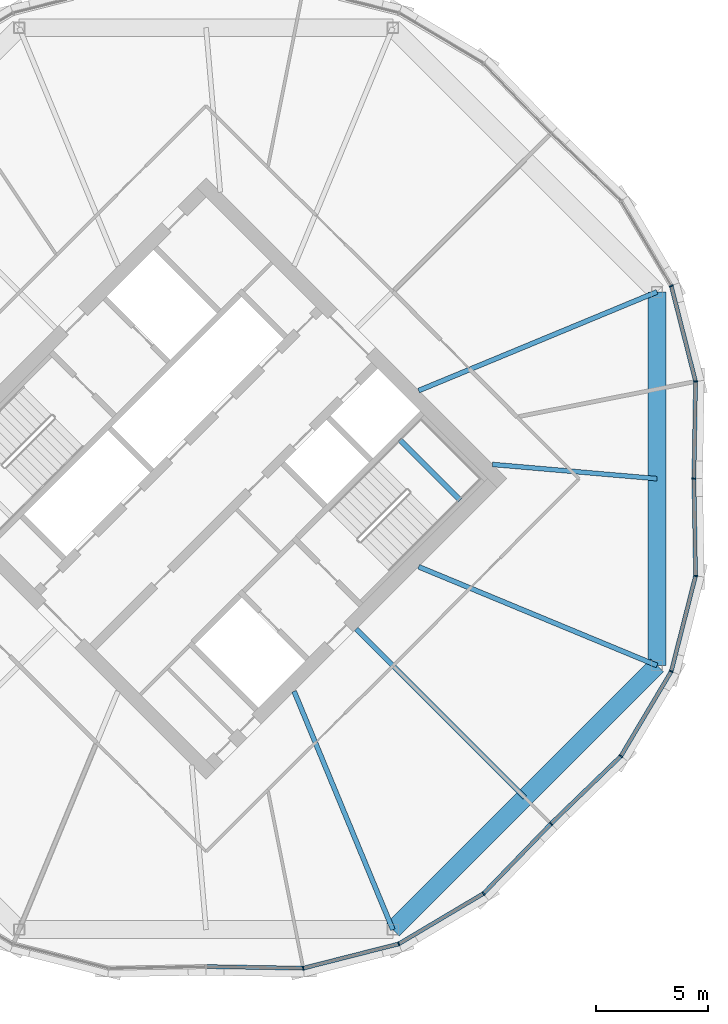
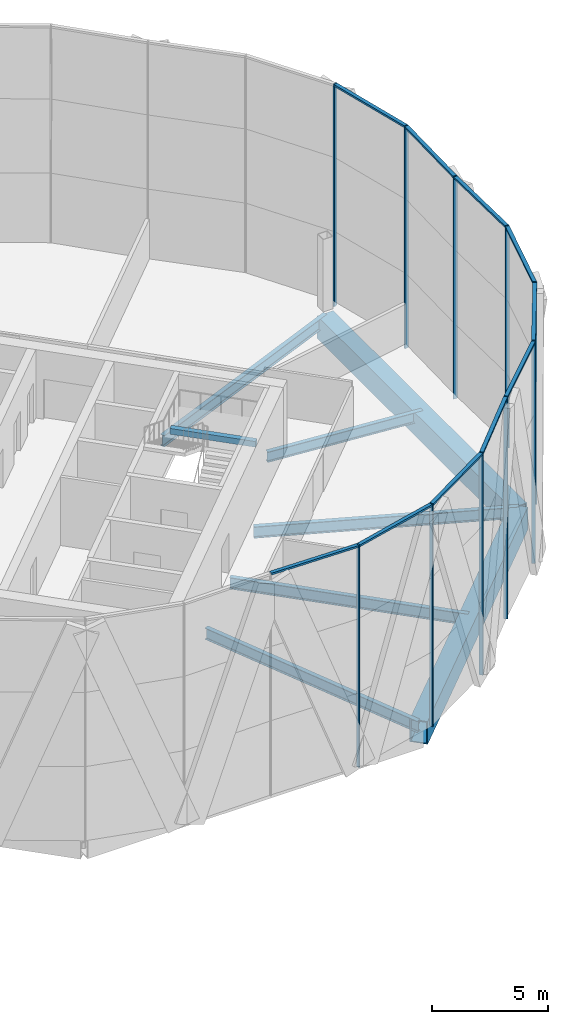
# One storey, part 10 of 23: 20 members, 8 beams, 3 elements without a shape of their own.
"""IFC4 building model written with IfcOpenShell, lengths in metres."""

from ifc_helpers import new_model, si_unit, direction, frame, origin, origin_2d, place, context, subcontext, project, spatial, rectangle, hollow_rectangle, i_section, extrude, material, material_profile, profile_set, type_object, element, aggregate, save


model = new_model("IFC4")

# Units and contexts
model_context = context("Model", 3, precision=1e-05, world=origin(), true_north=direction((0.0, 1.0)))
body_context = subcontext(model_context, "Body", "Model", "MODEL_VIEW")
ifc_project = project(units=[si_unit("LENGTHUNIT", "METRE"), si_unit("AREAUNIT", "SQUARE_METRE"), si_unit("VOLUMEUNIT", "CUBIC_METRE"), si_unit("PLANEANGLEUNIT", "RADIAN"), si_unit("MASSUNIT", "GRAM", prefix="KILO")], contexts=[model_context])

# Site, building, storey
site_placement = place(None, origin())
site = spatial("IfcSite", under=ifc_project, at=site_placement, CompositionType="ELEMENT")
building_placement = place(site_placement, origin())
building = spatial("IfcBuilding", under=site, at=building_placement, Name="Ogive Gate Towers", CompositionType="ELEMENT")
storey_placement = place(building_placement, frame((0.0, 0.0, 177.300048828125)))
storey = spatial("IfcBuildingStorey", under=building, at=storey_placement, Name="L42", CompositionType="ELEMENT", Elevation=177.300048828125)

# Beams
ifc_material_1 = material(Name="Steel SM460", Category="steel")
ifc_material_profile_1 = material_profile(ifc_material_1, hollow_rectangle(XDim=0.800048828125, YDim=1.199951171875, WallThickness=0.050048828125, at=origin_2d()), Name="BX 1200x800x50")
ifc_profile_set_1 = profile_set([ifc_material_profile_1], Name="Steel SM460")
beam_type_1 = type_object("IfcBeamType", Name="Edge girder BX 1200x800x50", PredefinedType="BEAM", material=ifc_profile_set_1)
beam_1_placement = place(storey_placement, frame((44.346435546875, -20.14990234375, -0.900146484375), z_axis=(0.707106781187, 0.707106781187, 0.0), x_axis=(-0.707106781187, 0.707106781187, 0.0)))
element("IfcBeam", 1, at=beam_1_placement, inside=storey, type_object=beam_type_1, Name="T2/L42/SBM019", PredefinedType="BEAM", context=body_context, shape_type="SweptSolid", body=[
    extrude(hollow_rectangle(XDim=0.800048828125, YDim=1.199951171875, WallThickness=0.050048828125, at=origin_2d()), origin(), (0.0, 0.0, 1.0), 16.692626953125),
])
beam_2_placement = place(storey_placement, frame((56.14990234375, -8.346435546875, -0.900146484375), z_axis=(0.0, 1.0, 0.0), x_axis=(-1.0, 0.0, 0.0)))
element("IfcBeam", 2, at=beam_2_placement, inside=storey, type_object=beam_type_1, Name="T2/L42/SBM020", PredefinedType="BEAM", context=body_context, shape_type="SweptSolid", body=[
    extrude(hollow_rectangle(XDim=0.800048828125, YDim=1.199951171875, WallThickness=0.050048828125, at=origin_2d()), origin(), (0.0, 0.0, 1.0), 16.69287109375),
])
ifc_material_2 = material(Name="Concrete C40/50", Category="concrete")
ifc_material_profile_2 = material_profile(ifc_material_2, rectangle(XDim=0.25, YDim=0.300048828125, at=origin_2d()), Name="RC 250x300")
ifc_profile_set_2 = profile_set([ifc_material_profile_2], Name="Concrete C40/50")
beam_type_2 = type_object("IfcBeamType", Name="Landing bearer RC 250x300", PredefinedType="BEAM", material=ifc_profile_set_2)
beam_3_placement = place(storey_placement, frame((47.349609375, -0.9541015625, 1.599853515625), z_axis=(-0.707106781187, 0.707106781187, 0.0), x_axis=(-0.707106781187, -0.707106781187, 0.0)))
element("IfcBeam", 3, at=beam_3_placement, inside=storey, type_object=beam_type_2, Name="T2 L42 stair 2 landing bearer 1", PredefinedType="BEAM", context=body_context, shape_type="SweptSolid", body=[
    extrude(rectangle(XDim=0.25, YDim=0.300048828125, at=origin_2d()), origin(), (0.0, 0.0, 1.0), 3.824951171875),
])
ifc_material_3 = material(Name="Steel SM355", Category="steel")
ifc_material_profile_3 = material_profile(ifc_material_3, i_section(OverallWidth=0.2099609375, OverallDepth=0.550048828125, WebThickness=0.010986328125, FlangeThickness=0.01708984375, FilletRadius=0.02392578125, at=origin_2d()), Name="IPE 550")
ifc_profile_set_3 = profile_set([ifc_material_profile_3], Name="Steel SM355")
beam_type_3 = type_object("IfcBeamType", Name="Radial floor beam IPE 550", PredefinedType="BEAM", material=ifc_profile_set_3)
beam_4_placement = place(storey_placement, frame((48.798583984375, 0.636474609375, -0.574951171875), z_axis=(0.996272922339, -0.086256966176, 0.0), x_axis=(0.086256966176, 0.996272922339, 0.0)))
element("IfcBeam", 4, at=beam_4_placement, inside=storey, type_object=beam_type_3, Name="T2/L42/SBM008", PredefinedType="BEAM", context=body_context, shape_type="SweptSolid", body=[
    extrude(i_section(OverallWidth=0.2099609375, OverallDepth=0.550048828125, WebThickness=0.010986328125, FlangeThickness=0.01708984375, FilletRadius=0.02392578125, at=origin_2d()), origin(), (0.0, 0.0, 1.0), 7.37890625),
])
ifc_material_profile_4 = material_profile(ifc_material_3, i_section(OverallWidth=0.219970703125, OverallDepth=0.60009765625, WebThickness=0.011962890625, FlangeThickness=0.01904296875, FilletRadius=0.02392578125, at=origin_2d()), Name="IPE 600")
ifc_profile_set_4 = profile_set([ifc_material_profile_4], Name="Steel SM355")
beam_type_4 = type_object("IfcBeamType", Name="Radial floor beam IPE 600", PredefinedType="BEAM", material=ifc_profile_set_4)
beam_5_placement = place(storey_placement, frame((39.93505859375, -9.5, -0.60009765625), z_axis=(0.382686613691, -0.923878214756, 0.0), x_axis=(0.923878214756, 0.382686613691, 0.0)))
element("IfcBeam", 5, at=beam_5_placement, inside=storey, type_object=beam_type_4, Name="T2/L42/SBM005", PredefinedType="BEAM", context=body_context, shape_type="SweptSolid", body=[
    extrude(i_section(OverallWidth=0.219970703125, OverallDepth=0.60009765625, WebThickness=0.011962890625, FlangeThickness=0.01904296875, FilletRadius=0.02392578125, at=origin_2d()), origin(), (0.0, 0.0, 1.0), 11.52734375),
])
beam_6_placement = place(storey_placement, frame((42.717529296875, -6.717529296875, -0.60009765625), z_axis=(0.707106781187, -0.707106781187, 0.0), x_axis=(0.707106781187, 0.707106781187, 0.0)))
element("IfcBeam", 6, at=beam_6_placement, inside=storey, type_object=beam_type_4, Name="T2/L42/SBM006", PredefinedType="BEAM", context=body_context, shape_type="SweptSolid", body=[
    extrude(i_section(OverallWidth=0.219970703125, OverallDepth=0.60009765625, WebThickness=0.011962890625, FlangeThickness=0.01904296875, FilletRadius=0.02392578125, at=origin_2d()), origin(), (0.0, 0.0, 1.0), 10.649658203125),
])
for number, where, z_axis, x_axis, name in (
    (7, (45.5, -3.93505859375, -0.60009765625), (0.923878214756, -0.382686613691, 0.0), (0.382686613691, 0.923878214756, 0.0), "T2/L42/SBM007"),
    (8, (45.5, 3.93505859375, -0.60009765625), (0.923878214756, 0.382686613691, 0.0), (-0.382686613691, 0.923878214756, 0.0), "T2/L42/SBM009"),
):
    element("IfcBeam", number, at=place(storey_placement, frame(where, z_axis=z_axis, x_axis=x_axis)), inside=storey, type_object=beam_type_4, Name=name, PredefinedType="BEAM", context=body_context, shape_type="SweptSolid", body=[
        extrude(i_section(OverallWidth=0.219970703125, OverallDepth=0.60009765625, WebThickness=0.011962890625, FlangeThickness=0.01904296875, FilletRadius=0.02392578125, at=origin_2d()), origin(), (0.0, 0.0, 1.0), 11.52734375),
    ])

# Curtain wall, members
ifc_material_4 = material(Name="Pale metal aluminium", Category="aluminium")
curtain_wall_type = type_object("IfcCurtainWallType", Name="Tower unitised wall, high zone", PredefinedType="NOTDEFINED", material=ifc_material_4)
curtain_wall_1_placement = place(storey_placement, origin())
curtain_wall_1 = element("IfcCurtainWall", 9, at=curtain_wall_1_placement, inside=storey, type_object=curtain_wall_type, Name="CW2 T2 ECW01", PredefinedType="NOTDEFINED")
ifc_material_profile_5 = material_profile(ifc_material_4, rectangle(XDim=0.179931640625, YDim=0.06005859375, at=origin_2d()), Name="60 x 180 aluminium box")
ifc_profile_set_5 = profile_set([ifc_material_profile_5], Name="Pale metal aluminium")
member_type_1 = type_object("IfcMemberType", Name="Tower unitised wall, high zone mullion 60 x 180", PredefinedType="MULLION", material=ifc_profile_set_5)
member_1_placement = place(storey_placement, frame((57.800048828125, 0.000244140625, -0.300048828125), z_axis=(0.0, 0.0, 1.0), x_axis=(0.99985699147, -0.016911434246, 0.0)))
member_1 = element("IfcMember", 10, at=member_1_placement, type_object=member_type_1, Name="CW2 mullion", PredefinedType="MULLION", context=body_context, shape_type="SweptSolid", body=[
    extrude(rectangle(XDim=0.179931640625, YDim=0.06005859375, at=origin_2d()), origin(), (0.0, 0.0, 1.0), 11.699951171875),
])
member_2_placement = place(storey_placement, frame((57.87353515625, 4.343505859375, -0.300048828125), z_axis=(0.0, 0.0, 1.0), x_axis=(0.993272085779, 0.115803987891, 0.0)))
member_2 = element("IfcMember", 11, at=member_2_placement, type_object=member_type_1, Name="CW2 mullion", PredefinedType="MULLION", context=body_context, shape_type="SweptSolid", body=[
    extrude(rectangle(XDim=0.179931640625, YDim=0.06005859375, at=origin_2d()), origin(), (0.0, 0.0, 1.0), 11.699951171875),
])
member_3_placement = place(storey_placement, frame((56.788330078125, 8.61083984375, -0.300048828125), z_axis=(0.0, 0.0, 1.0), x_axis=(0.923879532511, 0.382683432365, 0.0)))
member_3 = element("IfcMember", 12, at=member_3_placement, type_object=member_type_1, Name="CW2 mullion", PredefinedType="MULLION", context=body_context, shape_type="SweptSolid", body=[
    extrude(rectangle(XDim=0.179931640625, YDim=0.06005859375, at=origin_2d()), origin(), (0.0, 0.0, 1.0), 11.699951171875),
])

curtain_wall_2_placement = place(storey_placement, origin())
curtain_wall_2 = element("IfcCurtainWall", 13, at=curtain_wall_2_placement, inside=storey, type_object=curtain_wall_type, Name="CW2 T2 ECW07", PredefinedType="NOTDEFINED")
member_4_placement = place(storey_placement, frame((40.343505859375, -21.87353515625, -0.300048828125), z_axis=(0.0, 0.0, 1.0), x_axis=(0.115803987891, -0.993272085779, 0.0)))
member_4 = element("IfcMember", 14, at=member_4_placement, type_object=member_type_1, Name="CW2 mullion", PredefinedType="MULLION", context=body_context, shape_type="SweptSolid", body=[
    extrude(rectangle(XDim=0.179931640625, YDim=0.06005859375, at=origin_2d()), origin(), (0.0, 0.0, 1.0), 11.699951171875),
])
member_5_placement = place(storey_placement, frame((44.61083984375, -20.788330078125, -0.300048828125), z_axis=(0.0, 0.0, 1.0), x_axis=(0.382683432365, -0.923879532511, 0.0)))
member_5 = element("IfcMember", 15, at=member_5_placement, type_object=member_type_1, Name="CW2 mullion", PredefinedType="MULLION", context=body_context, shape_type="SweptSolid", body=[
    extrude(rectangle(XDim=0.179931640625, YDim=0.06005859375, at=origin_2d()), origin(), (0.0, 0.0, 1.0), 11.699951171875),
])
member_6_placement = place(storey_placement, frame((48.3955078125, -18.538330078125, -0.300048828125), z_axis=(0.0, 0.0, 1.0), x_axis=(0.620463642292, -0.784235212544, 0.0)))
member_6 = element("IfcMember", 16, at=member_6_placement, type_object=member_type_1, Name="CW2 mullion", PredefinedType="MULLION", context=body_context, shape_type="SweptSolid", body=[
    extrude(rectangle(XDim=0.179931640625, YDim=0.06005859375, at=origin_2d()), origin(), (0.0, 0.0, 1.0), 11.699951171875),
])
member_7_placement = place(storey_placement, frame((51.414794921875, -15.4150390625, -0.300048828125), z_axis=(0.0, 0.0, 1.0), x_axis=(0.71896384872, -0.69504746905, 0.0)))
member_7 = element("IfcMember", 17, at=member_7_placement, type_object=member_type_1, Name="CW2 mullion", PredefinedType="MULLION", context=body_context, shape_type="SweptSolid", body=[
    extrude(rectangle(XDim=0.179931640625, YDim=0.06005859375, at=origin_2d()), origin(), (0.0, 0.0, 1.0), 11.699951171875),
])

curtain_wall_3_placement = place(storey_placement, origin())
curtain_wall_3 = element("IfcCurtainWall", 18, at=curtain_wall_3_placement, inside=storey, type_object=curtain_wall_type, Name="CW2 T2 ECW08", PredefinedType="NOTDEFINED")
member_8_placement = place(storey_placement, frame((54.538330078125, -12.3955078125, -0.300048828125), z_axis=(0.0, 0.0, 1.0), x_axis=(0.784235212544, -0.620463642292, 0.0)))
member_8 = element("IfcMember", 19, at=member_8_placement, type_object=member_type_1, Name="CW2 mullion", PredefinedType="MULLION", context=body_context, shape_type="SweptSolid", body=[
    extrude(rectangle(XDim=0.179931640625, YDim=0.06005859375, at=origin_2d()), origin(), (0.0, 0.0, 1.0), 11.699951171875),
])
member_9_placement = place(storey_placement, frame((56.788330078125, -8.61083984375, -0.300048828125), z_axis=(0.0, 0.0, 1.0), x_axis=(0.923879532511, -0.382683432365, 0.0)))
member_9 = element("IfcMember", 20, at=member_9_placement, type_object=member_type_1, Name="CW2 mullion", PredefinedType="MULLION", context=body_context, shape_type="SweptSolid", body=[
    extrude(rectangle(XDim=0.179931640625, YDim=0.06005859375, at=origin_2d()), origin(), (0.0, 0.0, 1.0), 11.699951171875),
])
member_10_placement = place(storey_placement, frame((57.87353515625, -4.343505859375, -0.300048828125), z_axis=(0.0, 0.0, 1.0), x_axis=(0.993272085779, -0.115803987891, 0.0)))
member_10 = element("IfcMember", 21, at=member_10_placement, type_object=member_type_1, Name="CW2 mullion", PredefinedType="MULLION", context=body_context, shape_type="SweptSolid", body=[
    extrude(rectangle(XDim=0.179931640625, YDim=0.06005859375, at=origin_2d()), origin(), (0.0, 0.0, 1.0), 11.699951171875),
])

# Member
ifc_material_profile_6 = material_profile(ifc_material_4, rectangle(XDim=0.179931640625, YDim=0.10009765625, at=origin_2d()), Name="100 x 180 aluminium box")
ifc_profile_set_6 = profile_set([ifc_material_profile_6], Name="Pale metal aluminium")
member_type_2 = type_object("IfcMemberType", Name="Tower unitised wall, high zone transom 100 x 180", PredefinedType="USERDEFINED", material=ifc_profile_set_6)
member_11_placement = place(storey_placement, frame((57.800537109375, 0.0302734375, 11.349853515625), z_axis=(0.016921618058, 0.999856819171, 0.0), x_axis=(-0.999856819171, 0.016921618058, 0.0)))
member_11 = element("IfcMember", 22, at=member_11_placement, type_object=member_type_2, Name="CW2 transom", ObjectType="TRANSOM", PredefinedType="USERDEFINED", context=body_context, shape_type="SweptSolid", body=[
    extrude(rectangle(XDim=0.179931640625, YDim=0.10009765625, at=origin_2d()), origin(), (0.0, 0.0, 1.0), 4.28515625),
])

member_12_placement = place(storey_placement, frame((57.866455078125, 4.37109375, 11.349853515625), z_axis=(-0.246498942099, 0.969143060412, 0.0), x_axis=(-0.969143060412, -0.246498942099, 0.0)))
member_12 = element("IfcMember", 23, at=member_12_placement, type_object=member_type_2, Name="CW2 transom", ObjectType="TRANSOM", PredefinedType="USERDEFINED", context=body_context, shape_type="SweptSolid", body=[
    extrude(rectangle(XDim=0.179931640625, YDim=0.10009765625, at=origin_2d()), origin(), (0.0, 0.0, 1.0), 4.345947265625),
])

aggregate(curtain_wall_1, [member_1, member_2, member_11, member_3, member_12])

member_13_placement = place(storey_placement, frame((36.0302734375, -21.800537109375, 11.349853515625), z_axis=(0.999856819171, -0.016921618058, 0.0), x_axis=(0.016921618058, 0.999856819171, 0.0)))
member_13 = element("IfcMember", 24, at=member_13_placement, type_object=member_type_2, Name="CW2 transom", ObjectType="TRANSOM", PredefinedType="USERDEFINED", context=body_context, shape_type="SweptSolid", body=[
    extrude(rectangle(XDim=0.179931640625, YDim=0.10009765625, at=origin_2d()), origin(), (0.0, 0.0, 1.0), 4.28515625),
])

member_14_placement = place(storey_placement, frame((40.37109375, -21.866455078125, 11.349853515625), z_axis=(0.969143060412, 0.246498942099, 0.0), x_axis=(-0.246498942099, 0.969143060412, 0.0)))
member_14 = element("IfcMember", 25, at=member_14_placement, type_object=member_type_2, Name="CW2 transom", ObjectType="TRANSOM", PredefinedType="USERDEFINED", context=body_context, shape_type="SweptSolid", body=[
    extrude(rectangle(XDim=0.179931640625, YDim=0.10009765625, at=origin_2d()), origin(), (0.0, 0.0, 1.0), 4.345947265625),
])

member_15_placement = place(storey_placement, frame((44.63525390625, -20.773681640625, 11.349853515625), z_axis=(0.859557897045, 0.511038375885, 0.0), x_axis=(-0.511038375885, 0.859557897045, 0.0)))
member_15 = element("IfcMember", 26, at=member_15_placement, type_object=member_type_2, Name="CW2 transom", ObjectType="TRANSOM", PredefinedType="USERDEFINED", context=body_context, shape_type="SweptSolid", body=[
    extrude(rectangle(XDim=0.179931640625, YDim=0.10009765625, at=origin_2d()), origin(), (0.0, 0.0, 1.0), 4.345947265625),
])

member_16_placement = place(storey_placement, frame((48.41552734375, -18.517578125, 11.349853515625), z_axis=(0.695041730351, 0.718969396477, 0.0), x_axis=(-0.718969396477, 0.695041730351, 0.0)))
member_16 = element("IfcMember", 27, at=member_16_placement, type_object=member_type_2, Name="CW2 transom", ObjectType="TRANSOM", PredefinedType="USERDEFINED", context=body_context, shape_type="SweptSolid", body=[
    extrude(rectangle(XDim=0.179931640625, YDim=0.10009765625, at=origin_2d()), origin(), (0.0, 0.0, 1.0), 4.285400390625),
])

aggregate(curtain_wall_2, [member_4, member_13, member_5, member_14, member_6, member_15, member_7, member_16])

member_17_placement = place(storey_placement, frame((51.4365234375, -15.39404296875, 11.349853515625), z_axis=(0.718969396477, 0.695041730351, 0.0), x_axis=(-0.695041730351, 0.718969396477, 0.0)))
member_17 = element("IfcMember", 28, at=member_17_placement, type_object=member_type_2, Name="CW2 transom", ObjectType="TRANSOM", PredefinedType="USERDEFINED", context=body_context, shape_type="SweptSolid", body=[
    extrude(rectangle(XDim=0.179931640625, YDim=0.10009765625, at=origin_2d()), origin(), (0.0, 0.0, 1.0), 4.285400390625),
])

member_18_placement = place(storey_placement, frame((54.552734375, -12.370849609375, 11.349853515625), z_axis=(0.511038375885, 0.859557897045, 0.0), x_axis=(-0.859557897045, 0.511038375885, 0.0)))
member_18 = element("IfcMember", 29, at=member_18_placement, type_object=member_type_2, Name="CW2 transom", ObjectType="TRANSOM", PredefinedType="USERDEFINED", context=body_context, shape_type="SweptSolid", body=[
    extrude(rectangle(XDim=0.179931640625, YDim=0.10009765625, at=origin_2d()), origin(), (0.0, 0.0, 1.0), 4.345947265625),
])

member_19_placement = place(storey_placement, frame((56.795166015625, -8.5830078125, 11.349853515625), z_axis=(0.246498942099, 0.969143060412, 0.0), x_axis=(-0.969143060412, 0.246498942099, 0.0)))
member_19 = element("IfcMember", 30, at=member_19_placement, type_object=member_type_2, Name="CW2 transom", ObjectType="TRANSOM", PredefinedType="USERDEFINED", context=body_context, shape_type="SweptSolid", body=[
    extrude(rectangle(XDim=0.179931640625, YDim=0.10009765625, at=origin_2d()), origin(), (0.0, 0.0, 1.0), 4.345947265625),
])

member_20_placement = place(storey_placement, frame((57.873046875, -4.314697265625, 11.349853515625), z_axis=(-0.016921618058, 0.999856819171, 0.0), x_axis=(-0.999856819171, -0.016921618058, 0.0)))
member_20 = element("IfcMember", 31, at=member_20_placement, type_object=member_type_2, Name="CW2 transom", ObjectType="TRANSOM", PredefinedType="USERDEFINED", context=body_context, shape_type="SweptSolid", body=[
    extrude(rectangle(XDim=0.179931640625, YDim=0.10009765625, at=origin_2d()), origin(), (0.0, 0.0, 1.0), 4.28515625),
])

aggregate(curtain_wall_3, [member_8, member_17, member_9, member_18, member_10, member_19, member_20])

save(model, "model.ifc")
